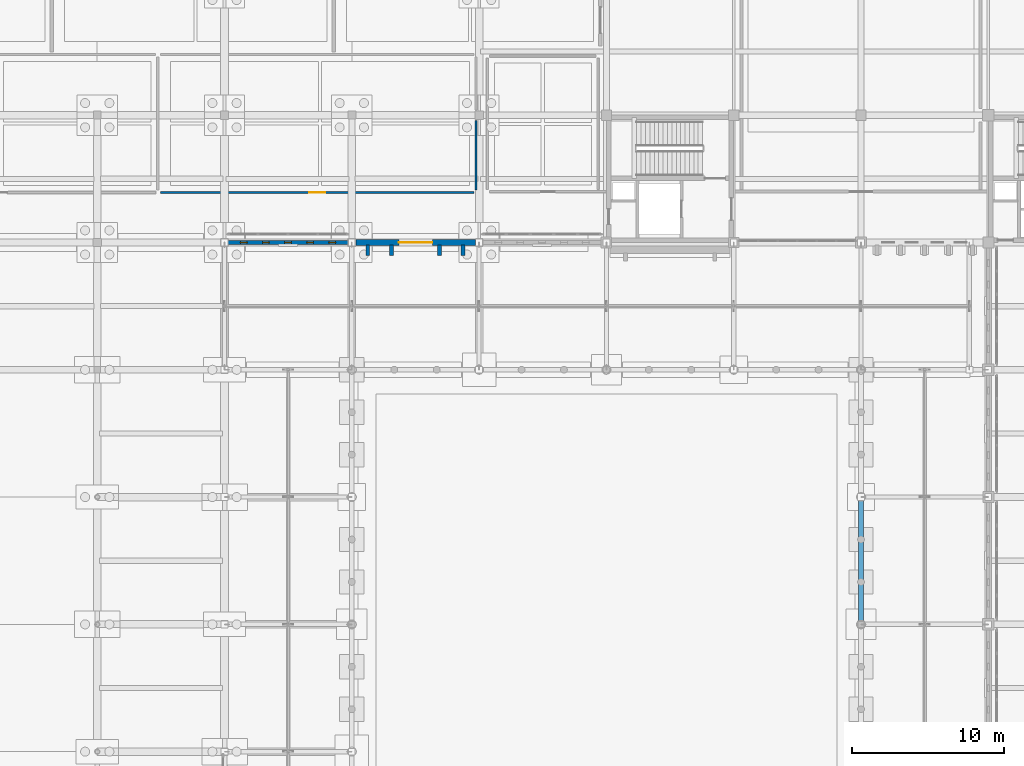
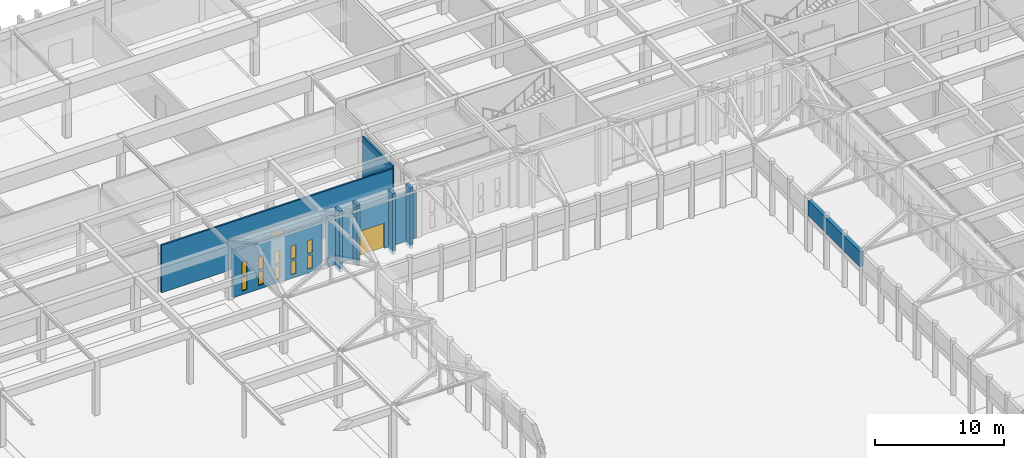
# One storey, part 119 of 143: 10 windows, 9 walls, 2 doors, 12 openings.
"""IFC4 building model written with IfcOpenShell, lengths in metres."""

from ifc_helpers import new_model, si_unit, direction, frame, frame_2d, origin, place, context, subcontext, project, spatial, rectangle, extrude, material, layer, layer_set, type_object, element, fill, save


model = new_model("IFC4")

# Units and contexts
model_context = context("Model", 3, precision=1e-05, world=origin(), true_north=direction((0.0, 1.0)))
body_context = subcontext(model_context, "Body", "Model", "MODEL_VIEW")
ifc_project = project(units=[si_unit("LENGTHUNIT", "METRE"), si_unit("AREAUNIT", "SQUARE_METRE"), si_unit("VOLUMEUNIT", "CUBIC_METRE"), si_unit("PLANEANGLEUNIT", "RADIAN"), si_unit("MASSUNIT", "GRAM", prefix="KILO")], contexts=[model_context])

# Site, building, storey
site_placement = place(None, origin())
site = spatial("IfcSite", under=ifc_project, at=site_placement, CompositionType="ELEMENT")
building_placement = place(site_placement, origin())
building = spatial("IfcBuilding", under=site, at=building_placement, Name="Kveldsbrygga Polytechnic", CompositionType="ELEMENT")
storey_placement = place(building_placement, origin())
storey = spatial("IfcBuildingStorey", under=building, at=storey_placement, Name="L00", CompositionType="ELEMENT", Elevation=0.0)

# Wall
ifc_material_1 = material(Name="Fired clay brick masonry M10", Category="masonry")
ifc_layer_1 = layer(ifc_material_1, 0.320068359375)
ifc_layer_set_1 = layer_set([ifc_layer_1], Name="Fired clay brick masonry M10")
wall_type_1 = type_object("IfcWallType", Name="EW-ARC-320", PredefinedType="SOLIDWALL", material=ifc_layer_set_1)
wall_1_placement = place(storey_placement, frame((117.60009765625, 58.985107421875, 3.455078125), z_axis=(0.0, 0.0, 1.0), x_axis=(0.0, 1.0, 0.0)))
element("IfcWall", 1, at=wall_1_placement, inside=storey, type_object=wall_type_1, Name="Cloister Arcade Brick Arch Header ARC-HDR-24", PredefinedType="SOLIDWALL", context=body_context, shape_type="SweptSolid", body=[
    extrude(rectangle(XDim=8.0048828125, YDim=0.320068359375, at=frame_2d((4.00244140625, 0.0))), origin(), (0.0, 0.0, 1.0), 1.4248046875),
])

# Wall, opening, door
ifc_layer_2 = layer(ifc_material_1, 0.419921875)
ifc_layer_set_2 = layer_set([ifc_layer_2], Name="Fired clay brick masonry M10")
wall_type_2 = type_object("IfcWallType", Name="EW-BRICK-420", PredefinedType="SOLIDWALL", material=ifc_layer_set_2)
wall_2_placement = place(storey_placement, frame((84.260009765625, 84.0, 0.0), z_axis=(0.0, 0.0, 1.0), x_axis=(1.0, 0.0, 0.0)))
wall_2 = element("IfcWall", 2, at=wall_2_placement, inside=storey, type_object=wall_type_2, Name="Exterior Brick Wall EW-L00-X-10-10", PredefinedType="SOLIDWALL", context=body_context, shape_type="SweptSolid", body=[
    extrude(rectangle(XDim=7.905029296875, YDim=0.419921875, at=frame_2d((3.95263671875, 0.0))), origin(), (0.0, 0.0, 1.0), 4.39990234375),
])
opening_1_placement = place(wall_2_placement, frame((2.8525390625, 0.0, 0.0)))
opening_1 = element("IfcOpeningElement", 3, at=opening_1_placement, cuts=wall_2, Name="Opening ED-09", PredefinedType="OPENING", context=body_context, shape_type="SweptSolid", body=[
    extrude(rectangle(XDim=2.199951171875, YDim=2.39990234375, at=frame_2d((1.10009765625, 1.199951171875))), frame((0.0, 0.219970703125, 0.0), z_axis=(0.0, -1.0, 0.0), x_axis=(1.0, 0.0, 0.0)), (0.0, 0.0, 1.0), 0.43994140625),
])
ifc_material_2 = material(Name="Anodised aluminium AW-6060", Category="aluminium")
door_type_1 = type_object("IfcDoorType", Name="ED-MAIN-220x240", OperationType="DOUBLE_DOOR_SINGLE_SWING", PredefinedType="DOOR", material=ifc_material_2)
door_1_placement = place(opening_1_placement, origin())
door_1 = element("IfcDoor", 4, at=door_1_placement, inside=storey, type_object=door_type_1, Name="Pedestrian Exit Door ED-09", OperationType="DOUBLE_DOOR_SINGLE_SWING", OverallHeight=2.39990234375, OverallWidth=2.199951171875, PredefinedType="DOOR", context=body_context, shape_type="SweptSolid", body=[
    extrude(rectangle(XDim=2.199951171875, YDim=2.39990234375, at=frame_2d((1.10009765625, 1.199951171875))), frame((0.0, 0.02490234375, 0.0), z_axis=(0.0, -1.0, 0.0), x_axis=(1.0, 0.0, 0.0)), (0.0, 0.0, 1.0), 0.050048828125),
])
fill(opening_1, door_1)

# Walls
ifc_layer_3 = layer(ifc_material_1, 0.260009765625)
ifc_layer_set_3 = layer_set([ifc_layer_3], Name="Fired clay brick masonry M10")
wall_type_3 = type_object("IfcWallType", Name="EW-BUTT-260", PredefinedType="SOLIDWALL", material=ifc_layer_set_3)
for number, where, z_axis, x_axis, name in (
    (5, (85.050048828125, 83.8349609375, -0.320068359375), (0.0, 0.0, 1.0), (0.0, -1.0, 0.0), "Gothic Brick Buttress Pier BUTT-L00-X-10-10-1"),
    (6, (86.6201171875, 83.8349609375, -0.320068359375), (0.0, 0.0, 1.0), (0.0, -1.0, 0.0), "Gothic Brick Buttress Pier BUTT-L00-X-10-10-2"),
    (7, (89.780029296875, 83.8349609375, -0.320068359375), (0.0, 0.0, 1.0), (0.0, -1.0, 0.0), "Gothic Brick Buttress Pier BUTT-L00-X-10-10-4"),
    (8, (91.35009765625, 83.8349609375, -0.320068359375), (0.0, 0.0, 1.0), (0.0, -1.0, 0.0), "Gothic Brick Buttress Pier BUTT-L00-X-10-10-5"),
):
    element("IfcWall", number, at=place(storey_placement, frame(where, z_axis=z_axis, x_axis=x_axis)), inside=storey, type_object=wall_type_3, Name=name, PredefinedType="SOLIDWALL", context=body_context, shape_type="SweptSolid", body=[
        extrude(rectangle(XDim=0.699951171875, YDim=0.260009765625, at=frame_2d((0.35009765625, 0.0))), origin(), (0.0, 0.0, 1.0), 5.760009765625),
    ])

# Wall, openings, windows
ifc_layer_4 = layer(ifc_material_1, 0.239990234375)
ifc_layer_set_4 = layer_set([ifc_layer_4], Name="Fired clay brick masonry M10")
wall_type_4 = type_object("IfcWallType", Name="EW-SCRN-240", PredefinedType="SOLIDWALL", material=ifc_layer_set_4)
wall_3_placement = place(storey_placement, frame((75.8349609375, 84.0, 0.0), z_axis=(0.0, 0.0, 1.0), x_axis=(1.0, 0.0, 0.0)))
wall_3 = element("IfcWall", 9, at=wall_3_placement, inside=storey, type_object=wall_type_4, Name="Perforated Brick Corridor Screen Wall SCRW-L00-X-09-10", PredefinedType="SOLIDWALL", context=body_context, shape_type="SweptSolid", body=[
    extrude(rectangle(XDim=7.905029296875, YDim=0.239990234375, at=frame_2d((3.95263671875, 0.0))), origin(), (0.0, 0.0, 1.0), 4.39990234375),
])
opening_2_placement = place(wall_3_placement, frame((0.810546875, 0.0, 0.35009765625)))
opening_2 = element("IfcOpeningElement", 10, at=opening_2_placement, cuts=wall_3, Name="Opening W-48", PredefinedType="OPENING", context=body_context, shape_type="SweptSolid", body=[
    extrude(rectangle(XDim=0.43994140625, YDim=1.25, at=frame_2d((0.219970703125, 0.625))), frame((0.0, 0.1298828125, 0.0), z_axis=(0.0, -1.0, 0.0), x_axis=(1.0, 0.0, 0.0)), (0.0, 0.0, 1.0), 0.260009765625),
])
opening_3_placement = place(wall_3_placement, frame((2.271484375, 0.0, 0.35009765625)))
opening_3 = element("IfcOpeningElement", 11, at=opening_3_placement, cuts=wall_3, Name="Opening W-48", PredefinedType="OPENING", context=body_context, shape_type="SweptSolid", body=[
    extrude(rectangle(XDim=0.43994140625, YDim=1.25, at=frame_2d((0.219970703125, 0.625))), frame((0.0, 0.1298828125, 0.0), z_axis=(0.0, -1.0, 0.0), x_axis=(1.0, 0.0, 0.0)), (0.0, 0.0, 1.0), 0.260009765625),
])
opening_4_placement = place(wall_3_placement, frame((3.732421875, 0.0, 0.35009765625)))
opening_4 = element("IfcOpeningElement", 12, at=opening_4_placement, cuts=wall_3, Name="Opening W-48", PredefinedType="OPENING", context=body_context, shape_type="SweptSolid", body=[
    extrude(rectangle(XDim=0.43994140625, YDim=1.25, at=frame_2d((0.219970703125, 0.625))), frame((0.0, 0.1298828125, 0.0), z_axis=(0.0, -1.0, 0.0), x_axis=(1.0, 0.0, 0.0)), (0.0, 0.0, 1.0), 0.260009765625),
])
opening_5_placement = place(wall_3_placement, frame((5.193603515625, 0.0, 0.35009765625)))
opening_5 = element("IfcOpeningElement", 13, at=opening_5_placement, cuts=wall_3, Name="Opening W-48", PredefinedType="OPENING", context=body_context, shape_type="SweptSolid", body=[
    extrude(rectangle(XDim=0.43994140625, YDim=1.25, at=frame_2d((0.219970703125, 0.625))), frame((0.0, 0.1298828125, 0.0), z_axis=(0.0, -1.0, 0.0), x_axis=(1.0, 0.0, 0.0)), (0.0, 0.0, 1.0), 0.260009765625),
])
opening_6_placement = place(wall_3_placement, frame((6.654541015625, 0.0, 0.35009765625)))
opening_6 = element("IfcOpeningElement", 14, at=opening_6_placement, cuts=wall_3, Name="Opening W-48", PredefinedType="OPENING", context=body_context, shape_type="SweptSolid", body=[
    extrude(rectangle(XDim=0.43994140625, YDim=1.25, at=frame_2d((0.219970703125, 0.625))), frame((0.0, 0.1298828125, 0.0), z_axis=(0.0, -1.0, 0.0), x_axis=(1.0, 0.0, 0.0)), (0.0, 0.0, 1.0), 0.260009765625),
])
opening_7_placement = place(wall_3_placement, frame((0.810546875, 0.0, 1.800048828125)))
opening_7 = element("IfcOpeningElement", 15, at=opening_7_placement, cuts=wall_3, Name="Opening W-48", PredefinedType="OPENING", context=body_context, shape_type="SweptSolid", body=[
    extrude(rectangle(XDim=0.43994140625, YDim=1.25, at=frame_2d((0.219970703125, 0.625))), frame((0.0, 0.1298828125, 0.0), z_axis=(0.0, -1.0, 0.0), x_axis=(1.0, 0.0, 0.0)), (0.0, 0.0, 1.0), 0.260009765625),
])
opening_8_placement = place(wall_3_placement, frame((2.271484375, 0.0, 1.800048828125)))
opening_8 = element("IfcOpeningElement", 16, at=opening_8_placement, cuts=wall_3, Name="Opening W-48", PredefinedType="OPENING", context=body_context, shape_type="SweptSolid", body=[
    extrude(rectangle(XDim=0.43994140625, YDim=1.25, at=frame_2d((0.219970703125, 0.625))), frame((0.0, 0.1298828125, 0.0), z_axis=(0.0, -1.0, 0.0), x_axis=(1.0, 0.0, 0.0)), (0.0, 0.0, 1.0), 0.260009765625),
])
opening_9_placement = place(wall_3_placement, frame((3.732421875, 0.0, 1.800048828125)))
opening_9 = element("IfcOpeningElement", 17, at=opening_9_placement, cuts=wall_3, Name="Opening W-48", PredefinedType="OPENING", context=body_context, shape_type="SweptSolid", body=[
    extrude(rectangle(XDim=0.43994140625, YDim=1.25, at=frame_2d((0.219970703125, 0.625))), frame((0.0, 0.1298828125, 0.0), z_axis=(0.0, -1.0, 0.0), x_axis=(1.0, 0.0, 0.0)), (0.0, 0.0, 1.0), 0.260009765625),
])
opening_10_placement = place(wall_3_placement, frame((5.193603515625, 0.0, 1.800048828125)))
opening_10 = element("IfcOpeningElement", 18, at=opening_10_placement, cuts=wall_3, Name="Opening W-48", PredefinedType="OPENING", context=body_context, shape_type="SweptSolid", body=[
    extrude(rectangle(XDim=0.43994140625, YDim=1.25, at=frame_2d((0.219970703125, 0.625))), frame((0.0, 0.1298828125, 0.0), z_axis=(0.0, -1.0, 0.0), x_axis=(1.0, 0.0, 0.0)), (0.0, 0.0, 1.0), 0.260009765625),
])
opening_11_placement = place(wall_3_placement, frame((6.654541015625, 0.0, 1.800048828125)))
opening_11 = element("IfcOpeningElement", 19, at=opening_11_placement, cuts=wall_3, Name="Opening W-48", PredefinedType="OPENING", context=body_context, shape_type="SweptSolid", body=[
    extrude(rectangle(XDim=0.43994140625, YDim=1.25, at=frame_2d((0.219970703125, 0.625))), frame((0.0, 0.1298828125, 0.0), z_axis=(0.0, -1.0, 0.0), x_axis=(1.0, 0.0, 0.0)), (0.0, 0.0, 1.0), 0.260009765625),
])
ifc_material_3 = material(Name="Insulated triple low-E glass", Category="glass")
window_type = type_object("IfcWindowType", Name="WN-SCRN-044x125", PartitioningType="SINGLE_PANEL", PredefinedType="WINDOW", material=ifc_material_3)
window_1_placement = place(opening_2_placement, origin())
window_1 = element("IfcWindow", 20, at=window_1_placement, inside=storey, type_object=window_type, Name="Perforated Screen Aperture L00-X-09-10-1", OverallHeight=1.25, OverallWidth=0.43994140625, PartitioningType="SINGLE_PANEL", PredefinedType="WINDOW", context=body_context, shape_type="SweptSolid", body=[
    extrude(rectangle(XDim=0.43994140625, YDim=1.25, at=frame_2d((0.219970703125, 0.625))), frame((0.0, 0.030029296875, 0.0), z_axis=(0.0, -1.0, 0.0), x_axis=(1.0, 0.0, 0.0)), (0.0, 0.0, 1.0), 0.06005859375),
])
fill(opening_2, window_1)
window_2_placement = place(opening_3_placement, origin())
window_2 = element("IfcWindow", 21, at=window_2_placement, inside=storey, type_object=window_type, Name="Perforated Screen Aperture L00-X-09-10-2", OverallHeight=1.25, OverallWidth=0.43994140625, PartitioningType="SINGLE_PANEL", PredefinedType="WINDOW", context=body_context, shape_type="SweptSolid", body=[
    extrude(rectangle(XDim=0.43994140625, YDim=1.25, at=frame_2d((0.219970703125, 0.625))), frame((0.0, 0.030029296875, 0.0), z_axis=(0.0, -1.0, 0.0), x_axis=(1.0, 0.0, 0.0)), (0.0, 0.0, 1.0), 0.06005859375),
])
fill(opening_3, window_2)
window_3_placement = place(opening_4_placement, origin())
window_3 = element("IfcWindow", 22, at=window_3_placement, inside=storey, type_object=window_type, Name="Perforated Screen Aperture L00-X-09-10-3", OverallHeight=1.25, OverallWidth=0.43994140625, PartitioningType="SINGLE_PANEL", PredefinedType="WINDOW", context=body_context, shape_type="SweptSolid", body=[
    extrude(rectangle(XDim=0.43994140625, YDim=1.25, at=frame_2d((0.219970703125, 0.625))), frame((0.0, 0.030029296875, 0.0), z_axis=(0.0, -1.0, 0.0), x_axis=(1.0, 0.0, 0.0)), (0.0, 0.0, 1.0), 0.06005859375),
])
fill(opening_4, window_3)
window_4_placement = place(opening_5_placement, origin())
window_4 = element("IfcWindow", 23, at=window_4_placement, inside=storey, type_object=window_type, Name="Perforated Screen Aperture L00-X-09-10-4", OverallHeight=1.25, OverallWidth=0.43994140625, PartitioningType="SINGLE_PANEL", PredefinedType="WINDOW", context=body_context, shape_type="SweptSolid", body=[
    extrude(rectangle(XDim=0.43994140625, YDim=1.25, at=frame_2d((0.219970703125, 0.625))), frame((0.0, 0.030029296875, 0.0), z_axis=(0.0, -1.0, 0.0), x_axis=(1.0, 0.0, 0.0)), (0.0, 0.0, 1.0), 0.06005859375),
])
fill(opening_5, window_4)
window_5_placement = place(opening_6_placement, origin())
window_5 = element("IfcWindow", 24, at=window_5_placement, inside=storey, type_object=window_type, Name="Perforated Screen Aperture L00-X-09-10-5", OverallHeight=1.25, OverallWidth=0.43994140625, PartitioningType="SINGLE_PANEL", PredefinedType="WINDOW", context=body_context, shape_type="SweptSolid", body=[
    extrude(rectangle(XDim=0.43994140625, YDim=1.25, at=frame_2d((0.219970703125, 0.625))), frame((0.0, 0.030029296875, 0.0), z_axis=(0.0, -1.0, 0.0), x_axis=(1.0, 0.0, 0.0)), (0.0, 0.0, 1.0), 0.06005859375),
])
fill(opening_6, window_5)
window_6_placement = place(opening_7_placement, origin())
window_6 = element("IfcWindow", 25, at=window_6_placement, inside=storey, type_object=window_type, Name="Perforated Screen Aperture L00-X-09-10-6", OverallHeight=1.25, OverallWidth=0.43994140625, PartitioningType="SINGLE_PANEL", PredefinedType="WINDOW", context=body_context, shape_type="SweptSolid", body=[
    extrude(rectangle(XDim=0.43994140625, YDim=1.25, at=frame_2d((0.219970703125, 0.625))), frame((0.0, 0.030029296875, 0.0), z_axis=(0.0, -1.0, 0.0), x_axis=(1.0, 0.0, 0.0)), (0.0, 0.0, 1.0), 0.06005859375),
])
fill(opening_7, window_6)
window_7_placement = place(opening_8_placement, origin())
window_7 = element("IfcWindow", 26, at=window_7_placement, inside=storey, type_object=window_type, Name="Perforated Screen Aperture L00-X-09-10-7", OverallHeight=1.25, OverallWidth=0.43994140625, PartitioningType="SINGLE_PANEL", PredefinedType="WINDOW", context=body_context, shape_type="SweptSolid", body=[
    extrude(rectangle(XDim=0.43994140625, YDim=1.25, at=frame_2d((0.219970703125, 0.625))), frame((0.0, 0.030029296875, 0.0), z_axis=(0.0, -1.0, 0.0), x_axis=(1.0, 0.0, 0.0)), (0.0, 0.0, 1.0), 0.06005859375),
])
fill(opening_8, window_7)
window_8_placement = place(opening_9_placement, origin())
window_8 = element("IfcWindow", 27, at=window_8_placement, inside=storey, type_object=window_type, Name="Perforated Screen Aperture L00-X-09-10-8", OverallHeight=1.25, OverallWidth=0.43994140625, PartitioningType="SINGLE_PANEL", PredefinedType="WINDOW", context=body_context, shape_type="SweptSolid", body=[
    extrude(rectangle(XDim=0.43994140625, YDim=1.25, at=frame_2d((0.219970703125, 0.625))), frame((0.0, 0.030029296875, 0.0), z_axis=(0.0, -1.0, 0.0), x_axis=(1.0, 0.0, 0.0)), (0.0, 0.0, 1.0), 0.06005859375),
])
fill(opening_9, window_8)
window_9_placement = place(opening_10_placement, origin())
window_9 = element("IfcWindow", 28, at=window_9_placement, inside=storey, type_object=window_type, Name="Perforated Screen Aperture L00-X-09-10-9", OverallHeight=1.25, OverallWidth=0.43994140625, PartitioningType="SINGLE_PANEL", PredefinedType="WINDOW", context=body_context, shape_type="SweptSolid", body=[
    extrude(rectangle(XDim=0.43994140625, YDim=1.25, at=frame_2d((0.219970703125, 0.625))), frame((0.0, 0.030029296875, 0.0), z_axis=(0.0, -1.0, 0.0), x_axis=(1.0, 0.0, 0.0)), (0.0, 0.0, 1.0), 0.06005859375),
])
fill(opening_10, window_9)
window_10_placement = place(opening_11_placement, origin())
window_10 = element("IfcWindow", 29, at=window_10_placement, inside=storey, type_object=window_type, Name="Perforated Screen Aperture L00-X-09-10-10", OverallHeight=1.25, OverallWidth=0.43994140625, PartitioningType="SINGLE_PANEL", PredefinedType="WINDOW", context=body_context, shape_type="SweptSolid", body=[
    extrude(rectangle(XDim=0.43994140625, YDim=1.25, at=frame_2d((0.219970703125, 0.625))), frame((0.0, 0.030029296875, 0.0), z_axis=(0.0, -1.0, 0.0), x_axis=(1.0, 0.0, 0.0)), (0.0, 0.0, 1.0), 0.06005859375),
])
fill(opening_11, window_10)

# Wall, opening, door
ifc_material_4 = material(Name="Gypsum acoustic stud partition")
ifc_layer_5 = layer(ifc_material_4, 0.14990234375)
ifc_layer_set_5 = layer_set([ifc_layer_5], Name="Gypsum acoustic stud partition")
wall_type_5 = type_object("IfcWallType", Name="IW-SEM-150", PredefinedType="PARTITIONING", material=ifc_layer_set_5)
wall_4_placement = place(storey_placement, frame((71.3798828125, 87.300048828125, 0.0), z_axis=(0.0, 0.0, 1.0), x_axis=(1.0, 0.0, 0.0)))
wall_4 = element("IfcWall", 30, at=wall_4_placement, inside=storey, type_object=wall_type_5, Name="Partition Wall IW-SP-L00-SEM02-S1", PredefinedType="PARTITIONING", context=body_context, shape_type="SweptSolid", body=[
    extrude(rectangle(XDim=20.670166015625, YDim=0.14990234375, at=frame_2d((10.3349609375, 0.0))), origin(), (0.0, 0.0, 1.0), 4.489990234375),
])
opening_12_placement = place(wall_4_placement, frame((9.81005859375, 0.0, 0.0)))
opening_12 = element("IfcOpeningElement", 31, at=opening_12_placement, cuts=wall_4, Name="Opening ID-L00-026", PredefinedType="OPENING", context=body_context, shape_type="SweptSolid", body=[
    extrude(rectangle(XDim=1.050048828125, YDim=2.14990234375, at=frame_2d((0.52490234375, 1.074951171875))), frame((0.0, 0.0849609375, 0.0), z_axis=(0.0, -1.0, 0.0), x_axis=(1.0, 0.0, 0.0)), (0.0, 0.0, 1.0), 0.169921875),
])
ifc_material_5 = material(Name="Acoustic oak timber", Category="wood")
door_type_2 = type_object("IfcDoorType", Name="ID-SEM-105x215", OperationType="NOTDEFINED", PredefinedType="DOOR", material=ifc_material_5)
door_2_placement = place(opening_12_placement, origin())
door_2 = element("IfcDoor", 32, at=door_2_placement, inside=storey, type_object=door_type_2, Name="Interior Door ID-L00-026", OperationType="SINGLE_SWING_LEFT", OverallHeight=2.14990234375, OverallWidth=1.050048828125, PredefinedType="DOOR", context=body_context, shape_type="SweptSolid", body=[
    extrude(rectangle(XDim=1.050048828125, YDim=2.14990234375, at=frame_2d((0.52490234375, 1.074951171875))), frame((0.0, 0.02490234375, 0.0), z_axis=(0.0, -1.0, 0.0), x_axis=(1.0, 0.0, 0.0)), (0.0, 0.0, 1.0), 0.050048828125),
])
fill(opening_12, door_2)

# Wall
wall_5_placement = place(storey_placement, frame((92.199951171875, 87.449951171875, 0.0), z_axis=(0.0, 0.0, 1.0), x_axis=(0.0, 1.0, 0.0)))
element("IfcWall", 33, at=wall_5_placement, inside=storey, type_object=wall_type_5, Name="Partition Wall IW-SP-L00-SEM02-E1", PredefinedType="PARTITIONING", context=body_context, shape_type="SweptSolid", body=[
    extrude(rectangle(XDim=4.614990234375, YDim=0.14990234375, at=frame_2d((2.3076171875, 0.0))), origin(), (0.0, 0.0, 1.0), 4.590087890625),
])

save(model, "model.ifc")
